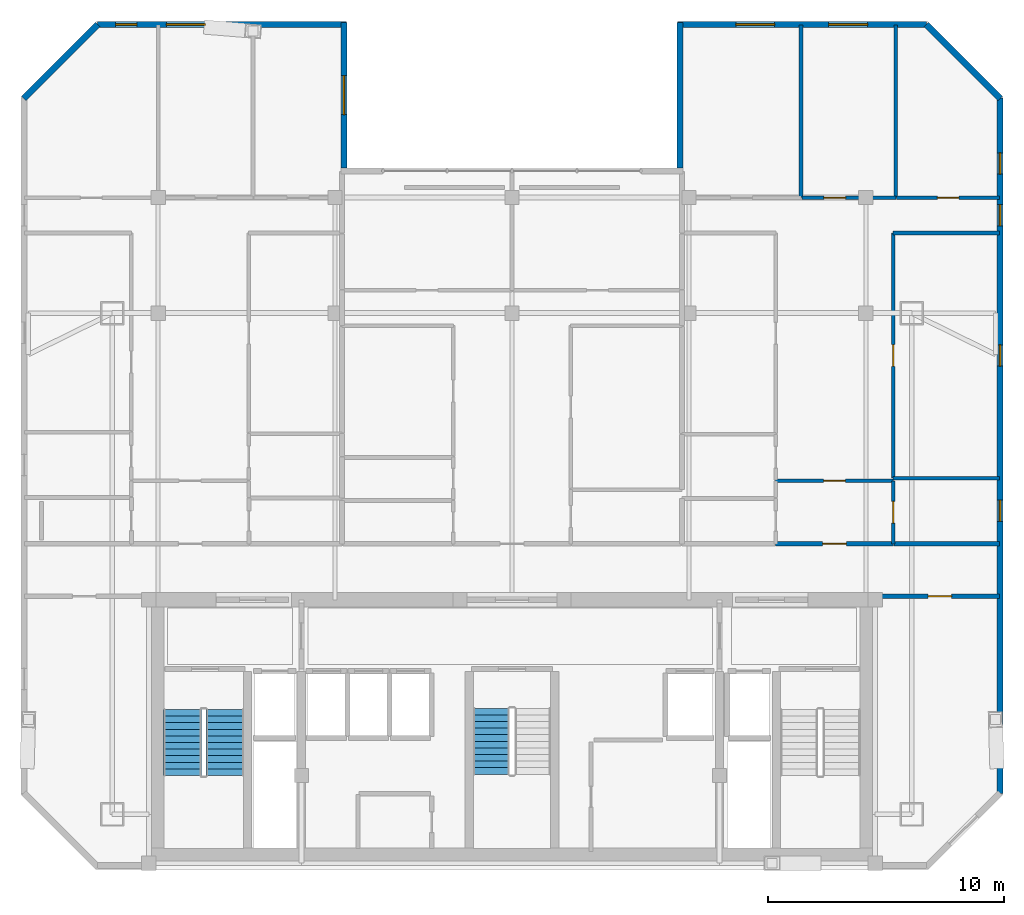
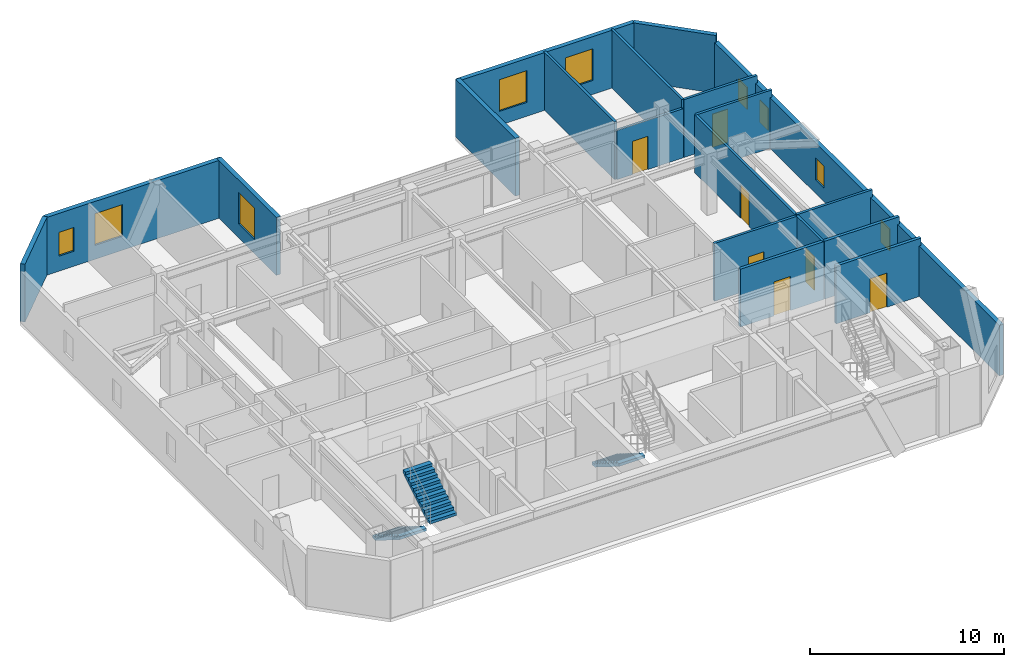
# One storey, part 9 of 11: 19 walls, 9 windows, 7 doors, 3 stair flights, 16 openings, 2 elements without a shape of their own.
"""IFC4 building model written with IfcOpenShell, lengths in metres."""

from ifc_helpers import new_model, si_unit, direction, frame, frame_2d, origin, place, context, subcontext, project, spatial, polyline, rectangle, outline, extrude, material, layer, layer_set, type_object, element, fill, aggregate, save


model = new_model("IFC4")

# Units and contexts
model_context = context("Model", 3, precision=1e-05, world=origin(), true_north=direction((0.0, 1.0)))
body_context = subcontext(model_context, "Body", "Model", "MODEL_VIEW")
ifc_project = project(units=[si_unit("LENGTHUNIT", "METRE"), si_unit("AREAUNIT", "SQUARE_METRE"), si_unit("VOLUMEUNIT", "CUBIC_METRE"), si_unit("PLANEANGLEUNIT", "RADIAN"), si_unit("MASSUNIT", "GRAM", prefix="KILO")], contexts=[model_context])

# Site, building, storey
site_placement = place(None, origin())
site = spatial("IfcSite", under=ifc_project, at=site_placement, CompositionType="ELEMENT")
building_placement = place(site_placement, origin())
building = spatial("IfcBuilding", under=site, at=building_placement, Name="Ventersveld Concourse Tower", CompositionType="ELEMENT")
storey_placement = place(building_placement, frame((0.0, 0.0, 256.75)))
storey = spatial("IfcBuildingStorey", under=building, at=storey_placement, Name="L63", CompositionType="ELEMENT", Elevation=256.75)

# Wall, opening, door
ifc_material_1 = material(Name="Fire-rated autoclaved aerated masonry blockwork", Category="masonry")
ifc_layer_1 = layer(ifc_material_1, 0.179931640625)
ifc_layer_set_1 = layer_set([ifc_layer_1], Name="Fire-rated autoclaved aerated masonry blockwork")
wall_type_1 = type_object("IfcWallType", Name="WL-CORR-180", PredefinedType="PARTITIONING", material=ifc_layer_set_1)
wall_1_placement = place(storey_placement, frame((44.35498046875, 11.60009765625, 0.0), z_axis=(0.0, 0.0, 1.0), x_axis=(1.0, 0.0, 0.0)))
wall_1 = element("IfcWall", 1, at=wall_1_placement, inside=storey, type_object=wall_type_1, Name="L63 Interior Partition SP-L63-SE-OFF-SP-L63-COR", PredefinedType="PARTITIONING", context=body_context, shape_type="SweptSolid", body=[
    extrude(rectangle(XDim=5.06884765625, YDim=0.179931640625, at=frame_2d((2.534423828125, 0.0))), origin(), (0.0, 0.0, 1.0), 3.64990234375),
])
opening_1_placement = place(wall_1_placement, frame((2.034423828125, 0.0, 0.0)))
opening_1 = element("IfcOpeningElement", 2, at=opening_1_placement, cuts=wall_1, Name="Opening FD3", PredefinedType="OPENING", context=body_context, shape_type="SweptSolid", body=[
    extrude(rectangle(XDim=1.0, YDim=2.14990234375, at=frame_2d((0.5, 1.074951171875))), frame((0.0, 0.10009765625, 0.0), z_axis=(0.0, -1.0, 0.0), x_axis=(1.0, 0.0, 0.0)), (0.0, 0.0, 1.0), 0.199951171875),
])
ifc_material_2 = material(Name="Solid-core hardwood veneer timber", Category="wood")
door_type_1 = type_object("IfcDoorType", Name="DR-FLAT-100", OperationType="NOTDEFINED", PredefinedType="DOOR", material=ifc_material_2)
door_1_placement = place(opening_1_placement, origin())
door_1 = element("IfcDoor", 3, at=door_1_placement, inside=storey, type_object=door_type_1, Name="L63 Interior Door SP-L63-SE-OFF to SP-L63-COR (D-L63-2981)", OperationType="SINGLE_SWING_LEFT", OverallHeight=2.14990234375, OverallWidth=1.0, PredefinedType="DOOR", context=body_context, shape_type="SweptSolid", body=[
    extrude(rectangle(XDim=1.0, YDim=2.14990234375, at=frame_2d((0.5, 1.074951171875))), frame((0.0, 0.02490234375, 0.0), z_axis=(0.0, -1.0, 0.0), x_axis=(1.0, 0.0, 0.0)), (0.0, 0.0, 1.0), 0.050048828125),
])
fill(opening_1, door_1)

wall_2_placement = place(storey_placement, frame((39.92919921875, 13.830078125, 0.0), z_axis=(0.0, 0.0, 1.0), x_axis=(1.0, 0.0, 0.0)))
wall_2 = element("IfcWall", 4, at=wall_2_placement, inside=storey, type_object=wall_type_1, Name="L63 Interior Partition SP-L63-COR-SP-L63-63CE-FOY", PredefinedType="PARTITIONING", context=body_context, shape_type="SweptSolid", body=[
    extrude(rectangle(XDim=4.989990234375, YDim=0.179931640625, at=frame_2d((2.4951171875, 0.0))), origin(), (0.0, 0.0, 1.0), 3.64990234375),
])
opening_2_placement = place(wall_2_placement, frame((1.9951171875, 0.0, 0.0)))
opening_2 = element("IfcOpeningElement", 5, at=opening_2_placement, cuts=wall_2, Name="Opening FD3", PredefinedType="OPENING", context=body_context, shape_type="SweptSolid", body=[
    extrude(rectangle(XDim=1.0, YDim=2.14990234375, at=frame_2d((0.5, 1.074951171875))), frame((0.0, 0.10009765625, 0.0), z_axis=(0.0, -1.0, 0.0), x_axis=(1.0, 0.0, 0.0)), (0.0, 0.0, 1.0), 0.199951171875),
])
door_2_placement = place(opening_2_placement, origin())
door_2 = element("IfcDoor", 6, at=door_2_placement, inside=storey, type_object=door_type_1, Name="L63 Interior Door SP-L63-COR to SP-L63-63CE-FOY (FD-L63-2983)", OperationType="SINGLE_SWING_LEFT", OverallHeight=2.14990234375, OverallWidth=1.0, PredefinedType="DOOR", context=body_context, shape_type="SweptSolid", body=[
    extrude(rectangle(XDim=1.0, YDim=2.14990234375, at=frame_2d((0.5, 1.074951171875))), frame((0.0, 0.02490234375, 0.0), z_axis=(0.0, -1.0, 0.0), x_axis=(1.0, 0.0, 0.0)), (0.0, 0.0, 1.0), 0.050048828125),
])
fill(opening_2, door_2)

# Wall
wall_3_placement = place(storey_placement, frame((44.94921875, 13.830078125, 0.0), z_axis=(0.0, 0.0, 1.0), x_axis=(1.0, 0.0, 0.0)))
element("IfcWall", 7, at=wall_3_placement, inside=storey, type_object=wall_type_1, Name="L63 Interior Partition SP-L63-COR-SP-L63-63CE-KIT", PredefinedType="PARTITIONING", context=body_context, shape_type="SweptSolid", body=[
    extrude(rectangle(XDim=4.474609375, YDim=0.179931640625, at=frame_2d((2.2373046875, 0.0))), origin(), (0.0, 0.0, 1.0), 3.64990234375),
])

# Wall, opening, door
ifc_material_3 = material(Name="Autoclaved aerated masonry blockwork", Category="masonry")
ifc_layer_2 = layer(ifc_material_3, 0.14990234375)
ifc_layer_set_2 = layer_set([ifc_layer_2], Name="Autoclaved aerated masonry blockwork")
wall_type_2 = type_object("IfcWallType", Name="WL-INT-150", PredefinedType="PARTITIONING", material=ifc_layer_set_2)
wall_4_placement = place(storey_placement, frame((39.92919921875, 16.490234375, 0.0), z_axis=(0.0, 0.0, 1.0), x_axis=(1.0, 0.0, 0.0)))
wall_4 = element("IfcWall", 8, at=wall_4_placement, inside=storey, type_object=wall_type_2, Name="L63 Interior Partition SP-L63-63CE-FOY-SP-L63-63CE-LIV", PredefinedType="PARTITIONING", context=body_context, shape_type="SweptSolid", body=[
    extrude(rectangle(XDim=4.989990234375, YDim=0.14990234375, at=frame_2d((2.4951171875, 0.0))), origin(), (0.0, 0.0, 1.0), 3.64990234375),
])
opening_3_placement = place(wall_4_placement, frame((2.034912109375, 0.0, 0.0)))
opening_3 = element("IfcOpeningElement", 9, at=opening_3_placement, cuts=wall_4, Name="Opening ID1", PredefinedType="OPENING", context=body_context, shape_type="SweptSolid", body=[
    extrude(rectangle(XDim=0.919921875, YDim=2.10009765625, at=frame_2d((0.4599609375, 1.050048828125))), frame((0.0, 0.0849609375, 0.0), z_axis=(0.0, -1.0, 0.0), x_axis=(1.0, 0.0, 0.0)), (0.0, 0.0, 1.0), 0.169921875),
])
door_type_2 = type_object("IfcDoorType", Name="DR-ROOM-092", OperationType="NOTDEFINED", PredefinedType="DOOR", material=ifc_material_2)
door_3_placement = place(opening_3_placement, origin())
door_3 = element("IfcDoor", 10, at=door_3_placement, inside=storey, type_object=door_type_2, Name="L63 Interior Door SP-L63-63CE-FOY to SP-L63-63CE-LIV (D-L63-2995)", OperationType="SINGLE_SWING_LEFT", OverallHeight=2.10009765625, OverallWidth=0.919921875, PredefinedType="DOOR", context=body_context, shape_type="SweptSolid", body=[
    extrude(rectangle(XDim=0.919921875, YDim=2.10009765625, at=frame_2d((0.4599609375, 1.050048828125))), frame((0.0, 0.02490234375, 0.0), z_axis=(0.0, -1.0, 0.0), x_axis=(1.0, 0.0, 0.0)), (0.0, 0.0, 1.0), 0.050048828125),
])
fill(opening_3, door_3)

wall_5_placement = place(storey_placement, frame((44.914306640625, 13.824951171875, 0.0), z_axis=(0.0, 0.0, 1.0), x_axis=(0.0, 1.0, 0.0)))
wall_5 = element("IfcWall", 11, at=wall_5_placement, inside=storey, type_object=wall_type_2, Name="L63 Interior Partition SP-L63-63CE-FOY-SP-L63-63CE-KIT", PredefinedType="PARTITIONING", context=body_context, shape_type="SweptSolid", body=[
    extrude(rectangle(XDim=2.67041015625, YDim=0.14990234375, at=frame_2d((1.335205078125, 0.0))), origin(), (0.0, 0.0, 1.0), 3.64990234375),
])
opening_4_placement = place(wall_5_placement, frame((0.875244140625, 0.0, 0.0)))
opening_4 = element("IfcOpeningElement", 12, at=opening_4_placement, cuts=wall_5, Name="Opening ID1", PredefinedType="OPENING", context=body_context, shape_type="SweptSolid", body=[
    extrude(rectangle(XDim=0.919921875, YDim=2.10009765625, at=frame_2d((0.4599609375, 1.050048828125))), frame((0.0, 0.0849609375, 0.0), z_axis=(0.0, -1.0, 0.0), x_axis=(1.0, 0.0, 0.0)), (0.0, 0.0, 1.0), 0.169921875),
])
door_4_placement = place(opening_4_placement, origin())
door_4 = element("IfcDoor", 13, at=door_4_placement, inside=storey, type_object=door_type_2, Name="L63 Interior Door SP-L63-63CE-FOY to SP-L63-63CE-KIT (D-L63-2997)", OperationType="SINGLE_SWING_LEFT", OverallHeight=2.10009765625, OverallWidth=0.919921875, PredefinedType="DOOR", context=body_context, shape_type="SweptSolid", body=[
    extrude(rectangle(XDim=0.919921875, YDim=2.10009765625, at=frame_2d((0.4599609375, 1.050048828125))), frame((0.0, 0.02490234375, 0.0), z_axis=(0.0, -1.0, 0.0), x_axis=(1.0, 0.0, 0.0)), (0.0, 0.0, 1.0), 0.050048828125),
])
fill(opening_4, door_4)

wall_6_placement = place(storey_placement, frame((44.914306640625, 16.607421875, 0.0), z_axis=(0.0, 0.0, 1.0), x_axis=(0.0, 1.0, 0.0)))
wall_6 = element("IfcWall", 14, at=wall_6_placement, inside=storey, type_object=wall_type_2, Name="L63 Interior Partition SP-L63-63CE-LIV-SP-L63-63CE-DENR", PredefinedType="PARTITIONING", context=body_context, shape_type="SweptSolid", body=[
    extrude(rectangle(XDim=10.3974609375, YDim=0.14990234375, at=frame_2d((5.19873046875, 0.0))), origin(), (0.0, 0.0, 1.0), 3.64990234375),
])
opening_5_placement = place(wall_6_placement, frame((4.739013671875, 0.0, 0.0)))
opening_5 = element("IfcOpeningElement", 15, at=opening_5_placement, cuts=wall_6, Name="Opening ID1", PredefinedType="OPENING", context=body_context, shape_type="SweptSolid", body=[
    extrude(rectangle(XDim=0.919921875, YDim=2.10009765625, at=frame_2d((0.4599609375, 1.050048828125))), frame((0.0, 0.0849609375, 0.0), z_axis=(0.0, -1.0, 0.0), x_axis=(1.0, 0.0, 0.0)), (0.0, 0.0, 1.0), 0.169921875),
])
door_5_placement = place(opening_5_placement, origin())
door_5 = element("IfcDoor", 16, at=door_5_placement, inside=storey, type_object=door_type_2, Name="L63 Interior Door SP-L63-63CE-LIV to SP-L63-63CE-DENR (D-L63-3000)", OperationType="SINGLE_SWING_RIGHT", OverallHeight=2.10009765625, OverallWidth=0.919921875, PredefinedType="DOOR", context=body_context, shape_type="SweptSolid", body=[
    extrude(rectangle(XDim=0.919921875, YDim=2.10009765625, at=frame_2d((0.4599609375, 1.050048828125))), frame((0.0, 0.02490234375, 0.0), z_axis=(0.0, -1.0, 0.0), x_axis=(1.0, 0.0, 0.0)), (0.0, 0.0, 1.0), 0.050048828125),
])
fill(opening_5, door_5)

# Wall
wall_7_placement = place(storey_placement, frame((44.9091796875, 27.0, 0.0), z_axis=(0.0, 0.0, 1.0), x_axis=(1.0, 0.0, 0.0)))
element("IfcWall", 17, at=wall_7_placement, inside=storey, type_object=wall_type_2, Name="L63 Interior Partition SP-L63-63CE-LIV-SP-L63-63CE-DENR", PredefinedType="PARTITIONING", context=body_context, shape_type="SweptSolid", body=[
    extrude(rectangle(XDim=4.5146484375, YDim=0.14990234375, at=frame_2d((2.25732421875, 0.0))), origin(), (0.0, 0.0, 1.0), 3.64990234375),
])

# Wall, opening, door
wall_8_placement = place(storey_placement, frame((41.037109375, 28.5, 0.0), z_axis=(0.0, 0.0, 1.0), x_axis=(1.0, 0.0, 0.0)))
wall_8 = element("IfcWall", 18, at=wall_8_placement, inside=storey, type_object=wall_type_2, Name="L63 Interior Partition SP-L63-63CE-LIV-SP-L63-63CE-BR2", PredefinedType="PARTITIONING", context=body_context, shape_type="SweptSolid", body=[
    extrude(rectangle(XDim=3.98876953125, YDim=0.14990234375, at=frame_2d((1.994384765625, 0.0))), origin(), (0.0, 0.0, 1.0), 3.10546875),
])
opening_6_placement = place(wall_8_placement, frame((0.93603515625, 0.0, 0.0)))
opening_6 = element("IfcOpeningElement", 19, at=opening_6_placement, cuts=wall_8, Name="Opening ID1", PredefinedType="OPENING", context=body_context, shape_type="SweptSolid", body=[
    extrude(rectangle(XDim=0.919921875, YDim=2.10009765625, at=frame_2d((0.4599609375, 1.050048828125))), frame((0.0, 0.0849609375, 0.0), z_axis=(0.0, -1.0, 0.0), x_axis=(1.0, 0.0, 0.0)), (0.0, 0.0, 1.0), 0.169921875),
])
door_6_placement = place(opening_6_placement, origin())
door_6 = element("IfcDoor", 20, at=door_6_placement, inside=storey, type_object=door_type_2, Name="L63 Interior Door SP-L63-63CE-LIV to SP-L63-63CE-BR2 (D-L63-3002)", OperationType="SINGLE_SWING_RIGHT", OverallHeight=2.10009765625, OverallWidth=0.919921875, PredefinedType="DOOR", context=body_context, shape_type="SweptSolid", body=[
    extrude(rectangle(XDim=0.919921875, YDim=2.10009765625, at=frame_2d((0.4599609375, 1.050048828125))), frame((0.0, 0.02490234375, 0.0), z_axis=(0.0, -1.0, 0.0), x_axis=(1.0, 0.0, 0.0)), (0.0, 0.0, 1.0), 0.050048828125),
])
fill(opening_6, door_6)

wall_9_placement = place(storey_placement, frame((45.055908203125, 28.5, 0.0), z_axis=(0.0, 0.0, 1.0), x_axis=(1.0, 0.0, 0.0)))
wall_9 = element("IfcWall", 21, at=wall_9_placement, inside=storey, type_object=wall_type_2, Name="L63 Interior Partition SP-L63-63CE-LIV-SP-L63-63CE-BR3", PredefinedType="PARTITIONING", context=body_context, shape_type="SweptSolid", body=[
    extrude(rectangle(XDim=4.367919921875, YDim=0.14990234375, at=frame_2d((2.18408203125, 0.0))), origin(), (0.0, 0.0, 1.0), 3.64990234375),
])
opening_7_placement = place(wall_9_placement, frame((1.72412109375, 0.0, 0.0)))
opening_7 = element("IfcOpeningElement", 22, at=opening_7_placement, cuts=wall_9, Name="Opening ID1", PredefinedType="OPENING", context=body_context, shape_type="SweptSolid", body=[
    extrude(rectangle(XDim=0.919921875, YDim=2.10009765625, at=frame_2d((0.4599609375, 1.050048828125))), frame((0.0, 0.0849609375, 0.0), z_axis=(0.0, -1.0, 0.0), x_axis=(1.0, 0.0, 0.0)), (0.0, 0.0, 1.0), 0.169921875),
])
door_7_placement = place(opening_7_placement, origin())
door_7 = element("IfcDoor", 23, at=door_7_placement, inside=storey, type_object=door_type_2, Name="L63 Interior Door SP-L63-63CE-LIV to SP-L63-63CE-BR3 (D-L63-3003)", OperationType="SINGLE_SWING_LEFT", OverallHeight=2.10009765625, OverallWidth=0.919921875, PredefinedType="DOOR", context=body_context, shape_type="SweptSolid", body=[
    extrude(rectangle(XDim=0.919921875, YDim=2.10009765625, at=frame_2d((0.4599609375, 1.050048828125))), frame((0.0, 0.02490234375, 0.0), z_axis=(0.0, -1.0, 0.0), x_axis=(1.0, 0.0, 0.0)), (0.0, 0.0, 1.0), 0.050048828125),
])
fill(opening_7, door_7)

# Walls
wall_10_placement = place(storey_placement, frame((44.9091796875, 16.6123046875, 0.0), z_axis=(0.0, 0.0, 1.0), x_axis=(1.0, 0.0, 0.0)))
element("IfcWall", 24, at=wall_10_placement, inside=storey, type_object=wall_type_2, Name="L63 Interior Partition SP-L63-63CE-KIT-SP-L63-63CE-DENR", PredefinedType="PARTITIONING", context=body_context, shape_type="SweptSolid", body=[
    extrude(rectangle(XDim=4.5146484375, YDim=0.14990234375, at=frame_2d((2.25732421875, 0.0))), origin(), (0.0, 0.0, 1.0), 3.64990234375),
])
for number, where, z_axis, x_axis, name in (
    (25, (41.002197265625, 28.4951171875, 0.0), (0.0, 0.0, 1.0), (0.0, 1.0, 0.0), "L63 Interior Partition SP-L63-63CE-BR1-SP-L63-63CE-BR2"),
    (26, (45.020751953125, 28.4951171875, 0.0), (0.0, 0.0, 1.0), (0.0, 1.0, 0.0), "L63 Interior Partition SP-L63-63CE-BR2-SP-L63-63CE-BR3"),
):
    element("IfcWall", number, at=place(storey_placement, frame(where, z_axis=z_axis, x_axis=x_axis)), inside=storey, type_object=wall_type_2, Name=name, PredefinedType="PARTITIONING", context=body_context, shape_type="SweptSolid", body=[
        extrude(rectangle(XDim=7.32177734375, YDim=0.14990234375, at=frame_2d((3.660888671875, 0.0))), origin(), (0.0, 0.0, 1.0), 3.64990234375),
    ])

# Wall, openings, windows
ifc_material_4 = material(Name="Precast concrete C45/55", Category="concrete")
ifc_layer_3 = layer(ifc_material_4, 0.260009765625)
ifc_layer_set_3 = layer_set([ifc_layer_3], Name="Precast concrete C45/55")
wall_type_3 = type_object("IfcWallType", Name="WL-PREC-260", PredefinedType="SOLIDWALL", material=ifc_layer_set_3)
wall_11_placement = place(storey_placement, frame((49.443359375, 3.239990234375, 0.0), z_axis=(0.0, 0.0, 1.0), x_axis=(0.0, 1.0, 0.0)))
wall_11 = element("IfcWall", 27, at=wall_11_placement, inside=storey, type_object=wall_type_3, Name="L63 Highveld Precast Facade Wall E03", PredefinedType="SOLIDWALL", context=body_context, shape_type="SweptSolid", body=[
    extrude(rectangle(XDim=29.486328125, YDim=0.260009765625, at=frame_2d((14.7431640625, 0.0))), origin(), (0.0, 0.0, 1.0), 3.18994140625),
])
opening_8_placement = place(wall_11_placement, frame((24.06005859375, 0.0, 0.85009765625)))
opening_8 = element("IfcOpeningElement", 28, at=opening_8_placement, cuts=wall_11, Name="Opening W8", PredefinedType="OPENING", context=body_context, shape_type="SweptSolid", body=[
    extrude(rectangle(XDim=0.89990234375, YDim=1.39990234375, at=frame_2d((0.449951171875, 0.699951171875))), frame((0.0, 0.14013671875, 0.0), z_axis=(0.0, -1.0, 0.0), x_axis=(1.0, 0.0, 0.0)), (0.0, 0.0, 1.0), 0.280029296875),
])
opening_9_placement = place(wall_11_placement, frame((11.53125, 0.0, 0.85009765625)))
opening_9 = element("IfcOpeningElement", 29, at=opening_9_placement, cuts=wall_11, Name="Opening W8", PredefinedType="OPENING", context=body_context, shape_type="SweptSolid", body=[
    extrude(rectangle(XDim=0.89990234375, YDim=1.39990234375, at=frame_2d((0.449951171875, 0.699951171875))), frame((0.0, 0.14013671875, 0.0), z_axis=(0.0, -1.0, 0.0), x_axis=(1.0, 0.0, 0.0)), (0.0, 0.0, 1.0), 0.280029296875),
])
opening_10_placement = place(wall_11_placement, frame((18.1162109375, 0.0, 0.85009765625)))
opening_10 = element("IfcOpeningElement", 30, at=opening_10_placement, cuts=wall_11, Name="Opening W8", PredefinedType="OPENING", context=body_context, shape_type="SweptSolid", body=[
    extrude(rectangle(XDim=0.89990234375, YDim=1.39990234375, at=frame_2d((0.449951171875, 0.699951171875))), frame((0.0, 0.14013671875, 0.0), z_axis=(0.0, -1.0, 0.0), x_axis=(1.0, 0.0, 0.0)), (0.0, 0.0, 1.0), 0.280029296875),
])
opening_11_placement = place(wall_11_placement, frame((26.2578125, 0.0, 0.85009765625)))
opening_11 = element("IfcOpeningElement", 31, at=opening_11_placement, cuts=wall_11, Name="Opening W8", PredefinedType="OPENING", context=body_context, shape_type="SweptSolid", body=[
    extrude(rectangle(XDim=0.89990234375, YDim=1.39990234375, at=frame_2d((0.449951171875, 0.699951171875))), frame((0.0, 0.14013671875, 0.0), z_axis=(0.0, -1.0, 0.0), x_axis=(1.0, 0.0, 0.0)), (0.0, 0.0, 1.0), 0.280029296875),
])
ifc_material_5 = material(Name="Tempered acoustic Low-E IGU", Category="glass")
window_type_1 = type_object("IfcWindowType", Name="WIN-090x140", PartitioningType="SINGLE_PANEL", PredefinedType="WINDOW", material=ifc_material_5)
window_1_placement = place(opening_8_placement, origin())
window_1 = element("IfcWindow", 32, at=window_1_placement, inside=storey, type_object=window_type_1, Name="L63 Punched Low-E Window W-0899", OverallHeight=1.39990234375, OverallWidth=0.89990234375, PartitioningType="SINGLE_PANEL", PredefinedType="WINDOW", context=body_context, shape_type="SweptSolid", body=[
    extrude(rectangle(XDim=0.89990234375, YDim=1.39990234375, at=frame_2d((0.449951171875, 0.699951171875))), frame((0.0, 0.030029296875, 0.0), z_axis=(0.0, -1.0, 0.0), x_axis=(1.0, 0.0, 0.0)), (0.0, 0.0, 1.0), 0.06005859375),
])
fill(opening_8, window_1)
window_2_placement = place(opening_9_placement, origin())
window_2 = element("IfcWindow", 33, at=window_2_placement, inside=storey, type_object=window_type_1, Name="L63 Punched Low-E Window W-0900", OverallHeight=1.39990234375, OverallWidth=0.89990234375, PartitioningType="SINGLE_PANEL", PredefinedType="WINDOW", context=body_context, shape_type="SweptSolid", body=[
    extrude(rectangle(XDim=0.89990234375, YDim=1.39990234375, at=frame_2d((0.449951171875, 0.699951171875))), frame((0.0, 0.030029296875, 0.0), z_axis=(0.0, -1.0, 0.0), x_axis=(1.0, 0.0, 0.0)), (0.0, 0.0, 1.0), 0.06005859375),
])
fill(opening_9, window_2)
window_3_placement = place(opening_10_placement, origin())
window_3 = element("IfcWindow", 34, at=window_3_placement, inside=storey, type_object=window_type_1, Name="L63 Punched Low-E Window W-0901", OverallHeight=1.39990234375, OverallWidth=0.89990234375, PartitioningType="SINGLE_PANEL", PredefinedType="WINDOW", context=body_context, shape_type="SweptSolid", body=[
    extrude(rectangle(XDim=0.89990234375, YDim=1.39990234375, at=frame_2d((0.449951171875, 0.699951171875))), frame((0.0, 0.030029296875, 0.0), z_axis=(0.0, -1.0, 0.0), x_axis=(1.0, 0.0, 0.0)), (0.0, 0.0, 1.0), 0.06005859375),
])
fill(opening_10, window_3)
window_4_placement = place(opening_11_placement, origin())
window_4 = element("IfcWindow", 35, at=window_4_placement, inside=storey, type_object=window_type_1, Name="L63 Punched Low-E Window W-0904", OverallHeight=1.39990234375, OverallWidth=0.89990234375, PartitioningType="SINGLE_PANEL", PredefinedType="WINDOW", context=body_context, shape_type="SweptSolid", body=[
    extrude(rectangle(XDim=0.89990234375, YDim=1.39990234375, at=frame_2d((0.449951171875, 0.699951171875))), frame((0.0, 0.030029296875, 0.0), z_axis=(0.0, -1.0, 0.0), x_axis=(1.0, 0.0, 0.0)), (0.0, 0.0, 1.0), 0.06005859375),
])
fill(opening_11, window_4)

# Wall
wall_12_placement = place(storey_placement, frame((49.453125, 32.70263671875, 0.0), z_axis=(0.0, 0.0, 1.0), x_axis=(-0.707079321262, 0.707134240044, 0.0)))
element("IfcWall", 36, at=wall_12_placement, inside=storey, type_object=wall_type_3, Name="L63 Highveld Precast Facade Wall E04", PredefinedType="SOLIDWALL", context=body_context, shape_type="SweptSolid", body=[
    extrude(rectangle(XDim=4.445556640625, YDim=0.260009765625, at=frame_2d((2.22265625, 0.0))), origin(), (0.0, 0.0, 1.0), 3.64990234375),
])

# Wall, openings, windows
wall_13_placement = place(storey_placement, frame((46.33349609375, 35.836181640625, 0.0), z_axis=(0.0, 0.0, 1.0), x_axis=(-1.0, 0.0, 0.0)))
wall_13 = element("IfcWall", 37, at=wall_13_placement, inside=storey, type_object=wall_type_3, Name="L63 Highveld Precast Facade Wall E05", PredefinedType="SOLIDWALL", context=body_context, shape_type="SweptSolid", body=[
    extrude(rectangle(XDim=10.54345703125, YDim=0.260009765625, at=frame_2d((5.271728515625, 0.0))), origin(), (0.0, 0.0, 1.0), 3.64990234375),
])
opening_12_placement = place(wall_13_placement, frame((6.447021484375, 0.0, 0.8798828125)))
opening_12 = element("IfcOpeningElement", 38, at=opening_12_placement, cuts=wall_13, Name="Opening W6", PredefinedType="OPENING", context=body_context, shape_type="SweptSolid", body=[
    extrude(rectangle(XDim=1.64990234375, YDim=2.0, at=frame_2d((0.824951171875, 1.0))), frame((0.0, 0.14013671875, 0.0), z_axis=(0.0, -1.0, 0.0), x_axis=(1.0, 0.0, 0.0)), (0.0, 0.0, 1.0), 0.280029296875),
])
opening_13_placement = place(wall_13_placement, frame((2.505859375, 0.0, 0.8798828125)))
opening_13 = element("IfcOpeningElement", 39, at=opening_13_placement, cuts=wall_13, Name="Opening W6", PredefinedType="OPENING", context=body_context, shape_type="SweptSolid", body=[
    extrude(rectangle(XDim=1.64990234375, YDim=2.0, at=frame_2d((0.824951171875, 1.0))), frame((0.0, 0.14013671875, 0.0), z_axis=(0.0, -1.0, 0.0), x_axis=(1.0, 0.0, 0.0)), (0.0, 0.0, 1.0), 0.280029296875),
])
window_type_2 = type_object("IfcWindowType", Name="WIN-165x200", PartitioningType="SINGLE_PANEL", PredefinedType="WINDOW", material=ifc_material_5)
window_5_placement = place(opening_12_placement, origin())
window_5 = element("IfcWindow", 40, at=window_5_placement, inside=storey, type_object=window_type_2, Name="L63 Punched Low-E Window W-0902", OverallHeight=2.0, OverallWidth=1.64990234375, PartitioningType="SINGLE_PANEL", PredefinedType="WINDOW", context=body_context, shape_type="SweptSolid", body=[
    extrude(rectangle(XDim=1.64990234375, YDim=2.0, at=frame_2d((0.824951171875, 1.0))), frame((0.0, 0.030029296875, 0.0), z_axis=(0.0, -1.0, 0.0), x_axis=(1.0, 0.0, 0.0)), (0.0, 0.0, 1.0), 0.06005859375),
])
fill(opening_12, window_5)
window_6_placement = place(opening_13_placement, origin())
window_6 = element("IfcWindow", 41, at=window_6_placement, inside=storey, type_object=window_type_2, Name="L63 Punched Low-E Window W-0903", OverallHeight=2.0, OverallWidth=1.64990234375, PartitioningType="SINGLE_PANEL", PredefinedType="WINDOW", context=body_context, shape_type="SweptSolid", body=[
    extrude(rectangle(XDim=1.64990234375, YDim=2.0, at=frame_2d((0.824951171875, 1.0))), frame((0.0, 0.030029296875, 0.0), z_axis=(0.0, -1.0, 0.0), x_axis=(1.0, 0.0, 0.0)), (0.0, 0.0, 1.0), 0.06005859375),
])
fill(opening_13, window_6)

# Wall
wall_14_placement = place(storey_placement, frame((35.8798828125, 35.92626953125, 0.0), z_axis=(0.0, 0.0, 1.0), x_axis=(0.0, -1.0, 0.0)))
element("IfcWall", 42, at=wall_14_placement, inside=storey, type_object=wall_type_3, Name="L63 Highveld Precast Facade Wall E06", PredefinedType="SOLIDWALL", context=body_context, shape_type="SweptSolid", body=[
    extrude(rectangle(XDim=6.159912109375, YDim=0.260009765625, at=frame_2d((3.080078125, 0.0))), origin(), (0.0, 0.0, 1.0), 3.64990234375),
])

# Wall, opening, window
wall_15_placement = place(storey_placement, frame((21.6201171875, 29.766357421875, 0.0), z_axis=(0.0, 0.0, 1.0), x_axis=(0.0, 1.0, 0.0)))
wall_15 = element("IfcWall", 43, at=wall_15_placement, inside=storey, type_object=wall_type_3, Name="L63 Highveld Precast Facade Wall E08", PredefinedType="SOLIDWALL", context=body_context, shape_type="SweptSolid", body=[
    extrude(rectangle(XDim=6.159912109375, YDim=0.260009765625, at=frame_2d((3.080078125, 0.0))), origin(), (0.0, 0.0, 1.0), 3.64990234375),
])
opening_14_placement = place(wall_15_placement, frame((2.2548828125, 0.0, 0.8798828125)))
opening_14 = element("IfcOpeningElement", 44, at=opening_14_placement, cuts=wall_15, Name="Opening W6", PredefinedType="OPENING", context=body_context, shape_type="SweptSolid", body=[
    extrude(rectangle(XDim=1.64990234375, YDim=2.0, at=frame_2d((0.824951171875, 1.0))), frame((0.0, 0.14013671875, 0.0), z_axis=(0.0, -1.0, 0.0), x_axis=(1.0, 0.0, 0.0)), (0.0, 0.0, 1.0), 0.280029296875),
])
window_7_placement = place(opening_14_placement, origin())
window_7 = element("IfcWindow", 45, at=window_7_placement, inside=storey, type_object=window_type_2, Name="L63 Punched Low-E Window W-0898", OverallHeight=2.0, OverallWidth=1.64990234375, PartitioningType="SINGLE_PANEL", PredefinedType="WINDOW", context=body_context, shape_type="SweptSolid", body=[
    extrude(rectangle(XDim=1.64990234375, YDim=2.0, at=frame_2d((0.824951171875, 1.0))), frame((0.0, 0.030029296875, 0.0), z_axis=(0.0, -1.0, 0.0), x_axis=(1.0, 0.0, 0.0)), (0.0, 0.0, 1.0), 0.06005859375),
])
fill(opening_14, window_7)

# Wall, openings, windows
wall_16_placement = place(storey_placement, frame((21.7099609375, 35.836181640625, 0.0), z_axis=(0.0, 0.0, 1.0), x_axis=(-1.0, 0.0, 0.0)))
wall_16 = element("IfcWall", 46, at=wall_16_placement, inside=storey, type_object=wall_type_3, Name="L63 Highveld Precast Facade Wall E09", PredefinedType="SOLIDWALL", context=body_context, shape_type="SweptSolid", body=[
    extrude(rectangle(XDim=10.54345703125, YDim=0.260009765625, at=frame_2d((5.271728515625, 0.0))), origin(), (0.0, 0.0, 1.0), 3.64990234375),
])
opening_15_placement = place(wall_16_placement, frame((8.86328125, 0.0, 0.949951171875)))
opening_15 = element("IfcOpeningElement", 47, at=opening_15_placement, cuts=wall_16, Name="Opening W4", PredefinedType="OPENING", context=body_context, shape_type="SweptSolid", body=[
    extrude(rectangle(XDim=0.89990234375, YDim=1.5, at=frame_2d((0.449951171875, 0.75))), frame((0.0, 0.14013671875, 0.0), z_axis=(0.0, -1.0, 0.0), x_axis=(1.0, 0.0, 0.0)), (0.0, 0.0, 1.0), 0.280029296875),
])
opening_16_placement = place(wall_16_placement, frame((5.962646484375, 0.0, 0.8798828125)))
opening_16 = element("IfcOpeningElement", 48, at=opening_16_placement, cuts=wall_16, Name="Opening W6", PredefinedType="OPENING", context=body_context, shape_type="SweptSolid", body=[
    extrude(rectangle(XDim=1.64990234375, YDim=2.0, at=frame_2d((0.824951171875, 1.0))), frame((0.0, 0.14013671875, 0.0), z_axis=(0.0, -1.0, 0.0), x_axis=(1.0, 0.0, 0.0)), (0.0, 0.0, 1.0), 0.280029296875),
])
window_type_3 = type_object("IfcWindowType", Name="WIN-090x150", PartitioningType="SINGLE_PANEL", PredefinedType="WINDOW", material=ifc_material_5)
window_8_placement = place(opening_15_placement, origin())
window_8 = element("IfcWindow", 49, at=window_8_placement, inside=storey, type_object=window_type_3, Name="L63 Punched Low-E Window W-0896", OverallHeight=1.5, OverallWidth=0.89990234375, PartitioningType="SINGLE_PANEL", PredefinedType="WINDOW", context=body_context, shape_type="SweptSolid", body=[
    extrude(rectangle(XDim=0.89990234375, YDim=1.5, at=frame_2d((0.449951171875, 0.75))), frame((0.0, 0.030029296875, 0.0), z_axis=(0.0, -1.0, 0.0), x_axis=(1.0, 0.0, 0.0)), (0.0, 0.0, 1.0), 0.06005859375),
])
fill(opening_15, window_8)
window_9_placement = place(opening_16_placement, origin())
window_9 = element("IfcWindow", 50, at=window_9_placement, inside=storey, type_object=window_type_2, Name="L63 Punched Low-E Window W-0897", OverallHeight=2.0, OverallWidth=1.64990234375, PartitioningType="SINGLE_PANEL", PredefinedType="WINDOW", context=body_context, shape_type="SweptSolid", body=[
    extrude(rectangle(XDim=1.64990234375, YDim=2.0, at=frame_2d((0.824951171875, 1.0))), frame((0.0, 0.030029296875, 0.0), z_axis=(0.0, -1.0, 0.0), x_axis=(1.0, 0.0, 0.0)), (0.0, 0.0, 1.0), 0.06005859375),
])
fill(opening_16, window_9)

# Wall
wall_17_placement = place(storey_placement, frame((11.190185546875, 35.84619140625, 0.0), z_axis=(0.0, 0.0, 1.0), x_axis=(-0.707079321262, -0.707134240044, 0.0)))
element("IfcWall", 51, at=wall_17_placement, inside=storey, type_object=wall_type_3, Name="L63 Highveld Precast Facade Wall E10", PredefinedType="SOLIDWALL", context=body_context, shape_type="SweptSolid", body=[
    extrude(rectangle(XDim=4.445556640625, YDim=0.260009765625, at=frame_2d((2.22265625, 0.0))), origin(), (0.0, 0.0, 1.0), 3.64990234375),
])

# Stair, stair flight
ifc_material_6 = material(Name="Concrete C50/60", Category="concrete")
stair_type_1 = type_object("IfcStairType", Name="ST-DOG-155", PredefinedType="HALF_TURN_STAIR", material=ifc_material_6)
stair_1_placement = place(storey_placement, origin())
stair_1 = element("IfcStair", 52, at=stair_1_placement, inside=storey, type_object=stair_type_1, Name="L63 Protected Central Core Escape Stair ST-03", PredefinedType="HALF_TURN_STAIR")
stair_flight_type_1 = type_object("IfcStairFlightType", Name="STF-RC-155", PredefinedType="STRAIGHT", material=ifc_material_6)
stair_flight_1_placement = place(storey_placement, frame((27.875, 6.85009765625, 0.0), z_axis=(0.0, 0.0, 1.0), x_axis=(0.0, -1.0, 0.0)))
stair_flight_1 = element("IfcStairFlight", 53, at=stair_flight_1_placement, type_object=stair_flight_type_1, Name="ST-03 flight 1", NumberOfRisers=11, NumberOfTreads=10, PredefinedType="STRAIGHT", RiserHeight=0.175, TreadLength=0.28, context=body_context, shape_type="SweptSolid", body=[
    extrude(outline(polyline([(0.0, 0.0), (0.0, 0.175048828125), (0.280029296875, 0.175048828125), (0.280029296875, 0.35009765625), (0.56005859375, 0.35009765625), (0.56005859375, 0.52490234375), (0.840087890625, 0.52490234375), (0.840087890625, 0.699951171875), (1.1201171875, 0.699951171875), (1.1201171875, 0.875), (1.39990234375, 0.875), (1.39990234375, 1.050048828125), (1.679931640625, 1.050048828125), (1.679931640625, 1.22509765625), (1.9599609375, 1.22509765625), (1.9599609375, 1.39990234375), (2.239990234375, 1.39990234375), (2.239990234375, 1.574951171875), (2.52001953125, 1.574951171875), (2.52001953125, 1.75), (2.800048828125, 1.75), (2.800048828125, 1.925048828125), (2.800048828125, 1.5732421875), (0.28271484375, 0.0), (0.0, 0.0)])), frame((0.0, 0.77490234375, 0.0), z_axis=(0.0, -1.0, 0.0), x_axis=(1.0, 0.0, 0.0)), (0.0, 0.0, 1.0), 1.550048828125),
])
aggregate(stair_1, [stair_flight_1])

# Stair, stair flights
stair_type_2 = type_object("IfcStairType", Name="ST-DOG-160", PredefinedType="HALF_TURN_STAIR", material=ifc_material_6)
stair_2_placement = place(storey_placement, origin())
stair_2 = element("IfcStair", 54, at=stair_2_placement, inside=storey, type_object=stair_type_2, Name="L63 Protected Tower Escape Stair ST-01", PredefinedType="HALF_TURN_STAIR")
stair_flight_type_2 = type_object("IfcStairFlightType", Name="STF-RC-160", PredefinedType="STRAIGHT", material=ifc_material_6)
stair_flight_2_placement = place(storey_placement, frame((14.780029296875, 6.800048828125, 0.0), z_axis=(0.0, 0.0, 1.0), x_axis=(0.0, -1.0, 0.0)))
stair_flight_2 = element("IfcStairFlight", 55, at=stair_flight_2_placement, type_object=stair_flight_type_2, Name="ST-01 flight 1", NumberOfRisers=11, NumberOfTreads=10, PredefinedType="STRAIGHT", RiserHeight=0.175, TreadLength=0.28, context=body_context, shape_type="SweptSolid", body=[
    extrude(outline(polyline([(0.0, 0.0), (0.0, 0.175048828125), (0.280029296875, 0.175048828125), (0.280029296875, 0.35009765625), (0.56005859375, 0.35009765625), (0.56005859375, 0.52490234375), (0.840087890625, 0.52490234375), (0.840087890625, 0.699951171875), (1.1201171875, 0.699951171875), (1.1201171875, 0.875), (1.39990234375, 0.875), (1.39990234375, 1.050048828125), (1.679931640625, 1.050048828125), (1.679931640625, 1.22509765625), (1.9599609375, 1.22509765625), (1.9599609375, 1.39990234375), (2.239990234375, 1.39990234375), (2.239990234375, 1.574951171875), (2.52001953125, 1.574951171875), (2.52001953125, 1.75), (2.800048828125, 1.75), (2.800048828125, 1.925048828125), (2.800048828125, 1.5732421875), (0.28271484375, 0.0), (0.0, 0.0)])), frame((0.0, 0.800048828125, 0.0), z_axis=(0.0, -1.0, 0.0), x_axis=(1.0, 0.0, 0.0)), (0.0, 0.0, 1.0), 1.60009765625),
])
stair_flight_3_placement = place(storey_placement, frame((16.580078125, 4.0, 1.925048828125), z_axis=(0.0, 0.0, 1.0), x_axis=(0.0, 1.0, 0.0)))
stair_flight_3 = element("IfcStairFlight", 56, at=stair_flight_3_placement, type_object=stair_flight_type_2, Name="ST-01 flight 2", NumberOfRisers=11, NumberOfTreads=10, PredefinedType="STRAIGHT", RiserHeight=0.175, TreadLength=0.28, context=body_context, shape_type="SweptSolid", body=[
    extrude(outline(polyline([(0.0, 0.0), (0.0, 0.175048828125), (0.280029296875, 0.175048828125), (0.280029296875, 0.35009765625), (0.56005859375, 0.35009765625), (0.56005859375, 0.52490234375), (0.840087890625, 0.52490234375), (0.840087890625, 0.699951171875), (1.1201171875, 0.699951171875), (1.1201171875, 0.875), (1.39990234375, 0.875), (1.39990234375, 1.050048828125), (1.679931640625, 1.050048828125), (1.679931640625, 1.22509765625), (1.9599609375, 1.22509765625), (1.9599609375, 1.39990234375), (2.239990234375, 1.39990234375), (2.239990234375, 1.574951171875), (2.52001953125, 1.574951171875), (2.52001953125, 1.75), (2.800048828125, 1.75), (2.800048828125, 1.925048828125), (2.800048828125, 1.5732421875), (0.28271484375, 0.0), (0.0, 0.0)])), frame((0.0, 0.800048828125, 0.0), z_axis=(0.0, -1.0, 0.0), x_axis=(1.0, 0.0, 0.0)), (0.0, 0.0, 1.0), 1.60009765625),
])
aggregate(stair_2, [stair_flight_2, stair_flight_3])

save(model, "model.ifc")
